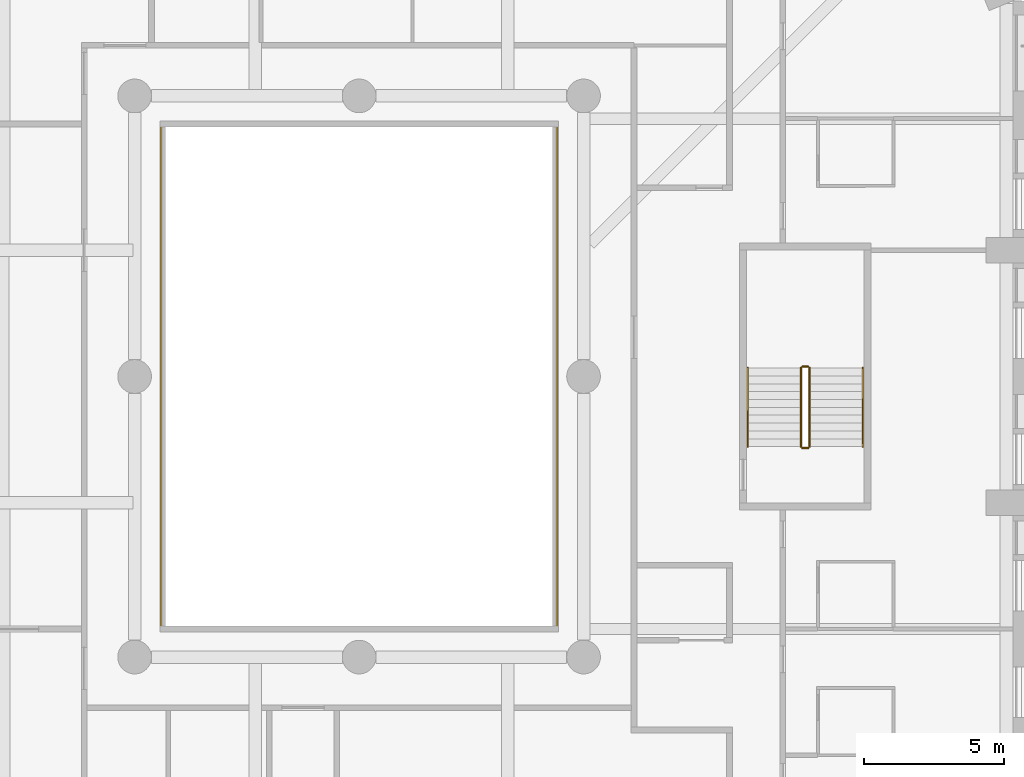
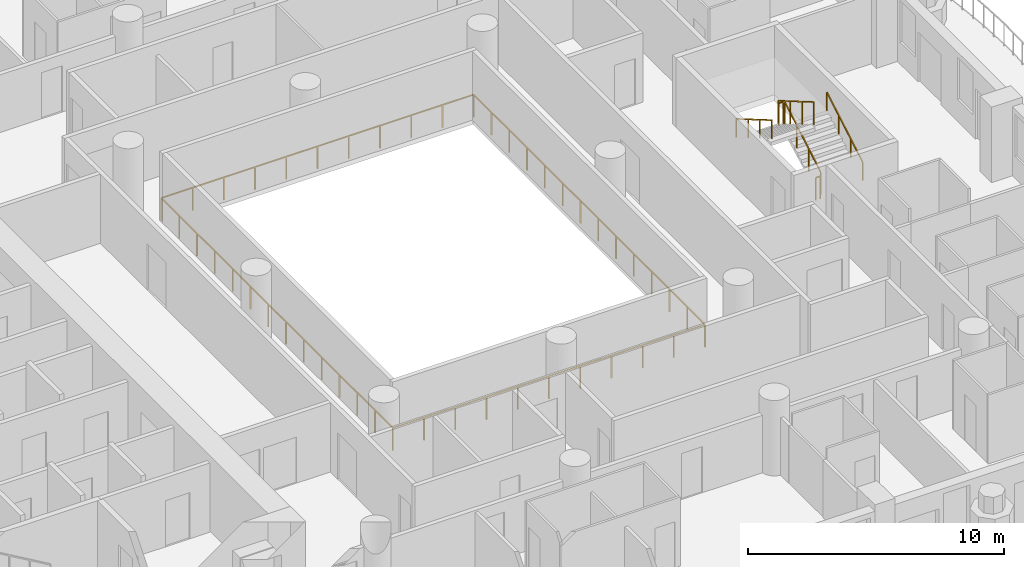
# One storey, part 15 of 20: 7 railings.
"""IFC4 building model written with IfcOpenShell, lengths in metres."""

from ifc_helpers import new_model, si_unit, direction, frame, origin, origin_2d, place, context, subcontext, project, spatial, rectangle, extrude, material, type_object, element, save


model = new_model("IFC4")

# Units and contexts
model_context = context("Model", 3, precision=1e-05, world=origin(), true_north=direction((0.0, 1.0)))
body_context = subcontext(model_context, "Body", "Model", "MODEL_VIEW")
ifc_project = project(units=[si_unit("LENGTHUNIT", "METRE"), si_unit("AREAUNIT", "SQUARE_METRE"), si_unit("VOLUMEUNIT", "CUBIC_METRE"), si_unit("PLANEANGLEUNIT", "RADIAN"), si_unit("MASSUNIT", "GRAM", prefix="KILO")], contexts=[model_context])

# Site, building, storey
site_placement = place(None, origin())
site = spatial("IfcSite", under=ifc_project, at=site_placement, CompositionType="ELEMENT")
building_placement = place(site_placement, origin())
building = spatial("IfcBuilding", under=site, at=building_placement, Name="Cypress Arch Tower", CompositionType="ELEMENT")
storey_placement = place(building_placement, frame((0.0, 0.0, 95.10009765625)))
storey = spatial("IfcBuildingStorey", under=building, at=storey_placement, Name="L18", CompositionType="ELEMENT", Elevation=95.10009765625)

# Railings
ifc_material_1 = material(Name="Stainless steel posts and handrail, laminated glass infill", Category="steel")
railing_type_1 = type_object("IfcRailingType", Name="Atrium guard GR1100A", PredefinedType="GUARDRAIL", material=ifc_material_1)
railing_1_placement = place(storey_placement, frame((8.050048828125, -9.050048828125, 0.0)))
element("IfcRailing", 1, at=railing_1_placement, inside=storey, type_object=railing_type_1, Name="Atrium guard L18", PredefinedType="GUARDRAIL", context=body_context, shape_type="SweptSolid", body=[
    extrude(rectangle(XDim=0.050048828125, YDim=0.050048828125, at=origin_2d()), frame((0.0, 0.0, 1.0751953125), z_axis=(-1.0, 0.0, 0.0), x_axis=(0.0, -1.0, 0.0)), (0.0, 0.0, 1.0), 14.10009765625),
    extrude(rectangle(XDim=0.050048828125, YDim=0.050048828125, at=origin_2d()), frame((-14.10009765625, 0.0, 1.0751953125), z_axis=(0.0, 1.0, 0.0), x_axis=(-1.0, 0.0, 0.0)), (0.0, 0.0, 1.0), 18.10009765625),
    extrude(rectangle(XDim=0.050048828125, YDim=0.050048828125, at=origin_2d()), frame((-14.10009765625, 18.10009765625, 1.0751953125), z_axis=(1.0, 0.0, 0.0), x_axis=(0.0, 1.0, 0.0)), (0.0, 0.0, 1.0), 14.10009765625),
    extrude(rectangle(XDim=0.050048828125, YDim=0.050048828125, at=origin_2d()), frame((0.0, 18.10009765625, 1.0751953125), z_axis=(0.0, -1.0, 0.0), x_axis=(1.0, 0.0, 0.0)), (0.0, 0.0, 1.0), 18.10009765625),
    extrude(rectangle(XDim=0.050048828125, YDim=0.050048828125, at=origin_2d()), origin(), (0.0, 0.0, 1.0), 1.050048828125),
    extrude(rectangle(XDim=0.050048828125, YDim=0.050048828125, at=origin_2d()), frame((-1.409912109375, 0.0, 0.0)), (0.0, 0.0, 1.0), 1.050048828125),
    extrude(rectangle(XDim=0.050048828125, YDim=0.050048828125, at=origin_2d()), frame((-2.820068359375, 0.0, 0.0)), (0.0, 0.0, 1.0), 1.050048828125),
    extrude(rectangle(XDim=0.050048828125, YDim=0.050048828125, at=origin_2d()), frame((-4.22998046875, 0.0, 0.0)), (0.0, 0.0, 1.0), 1.050048828125),
    extrude(rectangle(XDim=0.050048828125, YDim=0.050048828125, at=origin_2d()), frame((-5.64013671875, 0.0, 0.0)), (0.0, 0.0, 1.0), 1.050048828125),
    extrude(rectangle(XDim=0.050048828125, YDim=0.050048828125, at=origin_2d()), frame((-7.050048828125, 0.0, 0.0)), (0.0, 0.0, 1.0), 1.050048828125),
    extrude(rectangle(XDim=0.050048828125, YDim=0.050048828125, at=origin_2d()), frame((-8.4599609375, 0.0, 0.0)), (0.0, 0.0, 1.0), 1.050048828125),
    extrude(rectangle(XDim=0.050048828125, YDim=0.050048828125, at=origin_2d()), frame((-9.8701171875, 0.0, 0.0)), (0.0, 0.0, 1.0), 1.050048828125),
    extrude(rectangle(XDim=0.050048828125, YDim=0.050048828125, at=origin_2d()), frame((-11.280029296875, 0.0, 0.0)), (0.0, 0.0, 1.0), 1.050048828125),
    extrude(rectangle(XDim=0.050048828125, YDim=0.050048828125, at=origin_2d()), frame((-12.690185546875, 0.0, 0.0)), (0.0, 0.0, 1.0), 1.050048828125),
    extrude(rectangle(XDim=0.050048828125, YDim=0.050048828125, at=origin_2d()), frame((-14.10009765625, 0.0, 0.0)), (0.0, 0.0, 1.0), 1.050048828125),
    extrude(rectangle(XDim=0.050048828125, YDim=0.050048828125, at=origin_2d()), frame((-14.10009765625, 1.392333984375, 0.0)), (0.0, 0.0, 1.0), 1.050048828125),
    extrude(rectangle(XDim=0.050048828125, YDim=0.050048828125, at=origin_2d()), frame((-14.10009765625, 2.78466796875, 0.0)), (0.0, 0.0, 1.0), 1.050048828125),
    extrude(rectangle(XDim=0.050048828125, YDim=0.050048828125, at=origin_2d()), frame((-14.10009765625, 4.177001953125, 0.0)), (0.0, 0.0, 1.0), 1.050048828125),
    extrude(rectangle(XDim=0.050048828125, YDim=0.050048828125, at=origin_2d()), frame((-14.10009765625, 5.5693359375, 0.0)), (0.0, 0.0, 1.0), 1.050048828125),
    extrude(rectangle(XDim=0.050048828125, YDim=0.050048828125, at=origin_2d()), frame((-14.10009765625, 6.961669921875, 0.0)), (0.0, 0.0, 1.0), 1.050048828125),
    extrude(rectangle(XDim=0.050048828125, YDim=0.050048828125, at=origin_2d()), frame((-14.10009765625, 8.35400390625, 0.0)), (0.0, 0.0, 1.0), 1.050048828125),
    extrude(rectangle(XDim=0.050048828125, YDim=0.050048828125, at=origin_2d()), frame((-14.10009765625, 9.74609375, 0.0)), (0.0, 0.0, 1.0), 1.050048828125),
    extrude(rectangle(XDim=0.050048828125, YDim=0.050048828125, at=origin_2d()), frame((-14.10009765625, 11.138427734375, 0.0)), (0.0, 0.0, 1.0), 1.050048828125),
    extrude(rectangle(XDim=0.050048828125, YDim=0.050048828125, at=origin_2d()), frame((-14.10009765625, 12.53076171875, 0.0)), (0.0, 0.0, 1.0), 1.050048828125),
    extrude(rectangle(XDim=0.050048828125, YDim=0.050048828125, at=origin_2d()), frame((-14.10009765625, 13.923095703125, 0.0)), (0.0, 0.0, 1.0), 1.050048828125),
    extrude(rectangle(XDim=0.050048828125, YDim=0.050048828125, at=origin_2d()), frame((-14.10009765625, 15.3154296875, 0.0)), (0.0, 0.0, 1.0), 1.050048828125),
    extrude(rectangle(XDim=0.050048828125, YDim=0.050048828125, at=origin_2d()), frame((-14.10009765625, 16.707763671875, 0.0)), (0.0, 0.0, 1.0), 1.050048828125),
    extrude(rectangle(XDim=0.050048828125, YDim=0.050048828125, at=origin_2d()), frame((-14.10009765625, 18.10009765625, 0.0)), (0.0, 0.0, 1.0), 1.050048828125),
    extrude(rectangle(XDim=0.050048828125, YDim=0.050048828125, at=origin_2d()), frame((-12.690185546875, 18.10009765625, 0.0)), (0.0, 0.0, 1.0), 1.050048828125),
    extrude(rectangle(XDim=0.050048828125, YDim=0.050048828125, at=origin_2d()), frame((-11.280029296875, 18.10009765625, 0.0)), (0.0, 0.0, 1.0), 1.050048828125),
    extrude(rectangle(XDim=0.050048828125, YDim=0.050048828125, at=origin_2d()), frame((-9.8701171875, 18.10009765625, 0.0)), (0.0, 0.0, 1.0), 1.050048828125),
    extrude(rectangle(XDim=0.050048828125, YDim=0.050048828125, at=origin_2d()), frame((-8.4599609375, 18.10009765625, 0.0)), (0.0, 0.0, 1.0), 1.050048828125),
    extrude(rectangle(XDim=0.050048828125, YDim=0.050048828125, at=origin_2d()), frame((-7.050048828125, 18.10009765625, 0.0)), (0.0, 0.0, 1.0), 1.050048828125),
    extrude(rectangle(XDim=0.050048828125, YDim=0.050048828125, at=origin_2d()), frame((-5.64013671875, 18.10009765625, 0.0)), (0.0, 0.0, 1.0), 1.050048828125),
    extrude(rectangle(XDim=0.050048828125, YDim=0.050048828125, at=origin_2d()), frame((-4.22998046875, 18.10009765625, 0.0)), (0.0, 0.0, 1.0), 1.050048828125),
    extrude(rectangle(XDim=0.050048828125, YDim=0.050048828125, at=origin_2d()), frame((-2.820068359375, 18.10009765625, 0.0)), (0.0, 0.0, 1.0), 1.050048828125),
    extrude(rectangle(XDim=0.050048828125, YDim=0.050048828125, at=origin_2d()), frame((-1.409912109375, 18.10009765625, 0.0)), (0.0, 0.0, 1.0), 1.050048828125),
    extrude(rectangle(XDim=0.050048828125, YDim=0.050048828125, at=origin_2d()), frame((0.0, 18.10009765625, 0.0)), (0.0, 0.0, 1.0), 1.050048828125),
    extrude(rectangle(XDim=0.050048828125, YDim=0.050048828125, at=origin_2d()), frame((0.0, 16.707763671875, 0.0)), (0.0, 0.0, 1.0), 1.050048828125),
    extrude(rectangle(XDim=0.050048828125, YDim=0.050048828125, at=origin_2d()), frame((0.0, 15.3154296875, 0.0)), (0.0, 0.0, 1.0), 1.050048828125),
    extrude(rectangle(XDim=0.050048828125, YDim=0.050048828125, at=origin_2d()), frame((0.0, 13.923095703125, 0.0)), (0.0, 0.0, 1.0), 1.050048828125),
    extrude(rectangle(XDim=0.050048828125, YDim=0.050048828125, at=origin_2d()), frame((0.0, 12.53076171875, 0.0)), (0.0, 0.0, 1.0), 1.050048828125),
    extrude(rectangle(XDim=0.050048828125, YDim=0.050048828125, at=origin_2d()), frame((0.0, 11.138427734375, 0.0)), (0.0, 0.0, 1.0), 1.050048828125),
    extrude(rectangle(XDim=0.050048828125, YDim=0.050048828125, at=origin_2d()), frame((0.0, 9.74609375, 0.0)), (0.0, 0.0, 1.0), 1.050048828125),
    extrude(rectangle(XDim=0.050048828125, YDim=0.050048828125, at=origin_2d()), frame((0.0, 8.35400390625, 0.0)), (0.0, 0.0, 1.0), 1.050048828125),
    extrude(rectangle(XDim=0.050048828125, YDim=0.050048828125, at=origin_2d()), frame((0.0, 6.961669921875, 0.0)), (0.0, 0.0, 1.0), 1.050048828125),
    extrude(rectangle(XDim=0.050048828125, YDim=0.050048828125, at=origin_2d()), frame((0.0, 5.5693359375, 0.0)), (0.0, 0.0, 1.0), 1.050048828125),
    extrude(rectangle(XDim=0.050048828125, YDim=0.050048828125, at=origin_2d()), frame((0.0, 4.177001953125, 0.0)), (0.0, 0.0, 1.0), 1.050048828125),
    extrude(rectangle(XDim=0.050048828125, YDim=0.050048828125, at=origin_2d()), frame((0.0, 2.78466796875, 0.0)), (0.0, 0.0, 1.0), 1.050048828125),
    extrude(rectangle(XDim=0.050048828125, YDim=0.050048828125, at=origin_2d()), frame((0.0, 1.392333984375, 0.0)), (0.0, 0.0, 1.0), 1.050048828125),
])
ifc_material_2 = material(Name="Black powder-coated steel square bar 48 mm", Category="steel")
railing_type_2 = type_object("IfcRailingType", Name="Stair handrail HR1", PredefinedType="HANDRAIL", material=ifc_material_2)
railing_2_placement = place(storey_placement, frame((18.949951171875, -2.5, 0.16357421875)))
element("IfcRailing", 2, at=railing_2_placement, inside=storey, type_object=railing_type_2, Name="L18 C stair handrail 1", PredefinedType="HANDRAIL", context=body_context, shape_type="SweptSolid", body=[
    extrude(rectangle(XDim=0.048095703125, YDim=0.048095703125, at=origin_2d()), frame((0.0, 0.0, 0.8759765625), z_axis=(0.0, 0.863393664356, 0.504530851732), x_axis=(-1.0, 0.0, 0.0)), (0.0, 0.0, 1.0), 3.2431640625),
    extrude(rectangle(XDim=0.0419921875, YDim=0.0419921875, at=origin_2d()), origin(), (0.0, 0.0, 1.0), 0.851806640625),
    extrude(rectangle(XDim=0.0419921875, YDim=0.0419921875, at=origin_2d()), frame((0.0, 0.933349609375, 0.54541015625)), (0.0, 0.0, 1.0), 0.851806640625),
    extrude(rectangle(XDim=0.0419921875, YDim=0.0419921875, at=origin_2d()), frame((0.0, 1.86669921875, 1.0908203125)), (0.0, 0.0, 1.0), 0.851806640625),
    extrude(rectangle(XDim=0.0419921875, YDim=0.0419921875, at=origin_2d()), frame((0.0, 2.800048828125, 1.63623046875)), (0.0, 0.0, 1.0), 0.851806640625),
])
railing_3_placement = place(storey_placement, frame((14.85009765625, 0.300048828125, 1.963623046875)))
element("IfcRailing", 3, at=railing_3_placement, inside=storey, type_object=railing_type_2, Name="L18 C stair handrail 2", PredefinedType="HANDRAIL", context=body_context, shape_type="SweptSolid", body=[
    extrude(rectangle(XDim=0.048095703125, YDim=0.048095703125, at=origin_2d()), frame((0.0, 0.0, 0.8759765625), z_axis=(0.0, -0.863393664356, 0.504530851732), x_axis=(1.0, 0.0, 0.0)), (0.0, 0.0, 1.0), 3.2431640625),
    extrude(rectangle(XDim=0.0419921875, YDim=0.0419921875, at=origin_2d()), origin(), (0.0, 0.0, 1.0), 0.851806640625),
    extrude(rectangle(XDim=0.0419921875, YDim=0.0419921875, at=origin_2d()), frame((0.0, -0.933349609375, 0.54541015625)), (0.0, 0.0, 1.0), 0.851806640625),
    extrude(rectangle(XDim=0.0419921875, YDim=0.0419921875, at=origin_2d()), frame((0.0, -1.86669921875, 1.0908203125)), (0.0, 0.0, 1.0), 0.851806640625),
    extrude(rectangle(XDim=0.0419921875, YDim=0.0419921875, at=origin_2d()), frame((0.0, -2.800048828125, 1.63623046875)), (0.0, 0.0, 1.0), 0.851806640625),
])
ifc_material_3 = material(Name="Black powder-coated steel balusters", Category="steel")
railing_type_3 = type_object("IfcRailingType", Name="Stair well guard G1", PredefinedType="GUARDRAIL", material=ifc_material_3)
railing_4_placement = place(storey_placement, frame((17.050048828125, -2.5, 0.16357421875)))
element("IfcRailing", 4, at=railing_4_placement, inside=storey, type_object=railing_type_3, Name="L18 C stair guard 1", PredefinedType="GUARDRAIL", context=body_context, shape_type="SweptSolid", body=[
    extrude(rectangle(XDim=0.048095703125, YDim=0.048095703125, at=origin_2d()), frame((0.0, 0.0, 1.076171875), z_axis=(0.0, 0.863393664356, 0.504530851732), x_axis=(-1.0, 0.0, 0.0)), (0.0, 0.0, 1.0), 3.2431640625),
    extrude(rectangle(XDim=0.0419921875, YDim=0.0419921875, at=origin_2d()), origin(), (0.0, 0.0, 1.0), 1.052001953125),
    extrude(rectangle(XDim=0.0419921875, YDim=0.0419921875, at=origin_2d()), frame((0.0, 0.933349609375, 0.54541015625)), (0.0, 0.0, 1.0), 1.052001953125),
    extrude(rectangle(XDim=0.0419921875, YDim=0.0419921875, at=origin_2d()), frame((0.0, 1.86669921875, 1.0908203125)), (0.0, 0.0, 1.0), 1.052001953125),
    extrude(rectangle(XDim=0.0419921875, YDim=0.0419921875, at=origin_2d()), frame((0.0, 2.800048828125, 1.63623046875)), (0.0, 0.0, 1.0), 1.052001953125),
])
railing_5_placement = place(storey_placement, frame((17.0, 0.35009765625, 1.7998046875)))
element("IfcRailing", 5, at=railing_5_placement, inside=storey, type_object=railing_type_3, Name="L18 C stair guard 2", PredefinedType="GUARDRAIL", context=body_context, shape_type="SweptSolid", body=[
    extrude(rectangle(XDim=0.048095703125, YDim=0.048095703125, at=origin_2d()), frame((0.0, 0.0, 1.076171875), z_axis=(-1.0, 0.0, 0.0), x_axis=(0.0, -1.0, 0.0)), (0.0, 0.0, 1.0), 0.199951171875),
    extrude(rectangle(XDim=0.0419921875, YDim=0.0419921875, at=origin_2d()), origin(), (0.0, 0.0, 1.0), 1.052001953125),
    extrude(rectangle(XDim=0.0419921875, YDim=0.0419921875, at=origin_2d()), frame((-0.199951171875, 0.0, 0.0)), (0.0, 0.0, 1.0), 1.052001953125),
])
railing_6_placement = place(storey_placement, frame((16.75, 0.300048828125, 1.963623046875)))
element("IfcRailing", 6, at=railing_6_placement, inside=storey, type_object=railing_type_3, Name="L18 C stair guard 3", PredefinedType="GUARDRAIL", context=body_context, shape_type="SweptSolid", body=[
    extrude(rectangle(XDim=0.048095703125, YDim=0.048095703125, at=origin_2d()), frame((0.0, 0.0, 1.076171875), z_axis=(0.0, -0.863393664356, 0.504530851732), x_axis=(1.0, 0.0, 0.0)), (0.0, 0.0, 1.0), 3.2431640625),
    extrude(rectangle(XDim=0.0419921875, YDim=0.0419921875, at=origin_2d()), origin(), (0.0, 0.0, 1.0), 1.052001953125),
    extrude(rectangle(XDim=0.0419921875, YDim=0.0419921875, at=origin_2d()), frame((0.0, -0.933349609375, 0.54541015625)), (0.0, 0.0, 1.0), 1.052001953125),
    extrude(rectangle(XDim=0.0419921875, YDim=0.0419921875, at=origin_2d()), frame((0.0, -1.86669921875, 1.0908203125)), (0.0, 0.0, 1.0), 1.052001953125),
    extrude(rectangle(XDim=0.0419921875, YDim=0.0419921875, at=origin_2d()), frame((0.0, -2.800048828125, 1.63623046875)), (0.0, 0.0, 1.0), 1.052001953125),
])
railing_7_placement = place(storey_placement, frame((17.0, -2.550048828125, 0.0)))
element("IfcRailing", 7, at=railing_7_placement, inside=storey, type_object=railing_type_3, Name="L18 C stair guard 4", PredefinedType="GUARDRAIL", context=body_context, shape_type="SweptSolid", body=[
    extrude(rectangle(XDim=0.048095703125, YDim=0.048095703125, at=origin_2d()), frame((0.0, 0.0, 1.076171875), z_axis=(-1.0, 0.0, 0.0), x_axis=(0.0, -1.0, 0.0)), (0.0, 0.0, 1.0), 0.199951171875),
    extrude(rectangle(XDim=0.0419921875, YDim=0.0419921875, at=origin_2d()), origin(), (0.0, 0.0, 1.0), 1.052001953125),
    extrude(rectangle(XDim=0.0419921875, YDim=0.0419921875, at=origin_2d()), frame((-0.199951171875, 0.0, 0.0)), (0.0, 0.0, 1.0), 1.052001953125),
])

save(model, "model.ifc")
